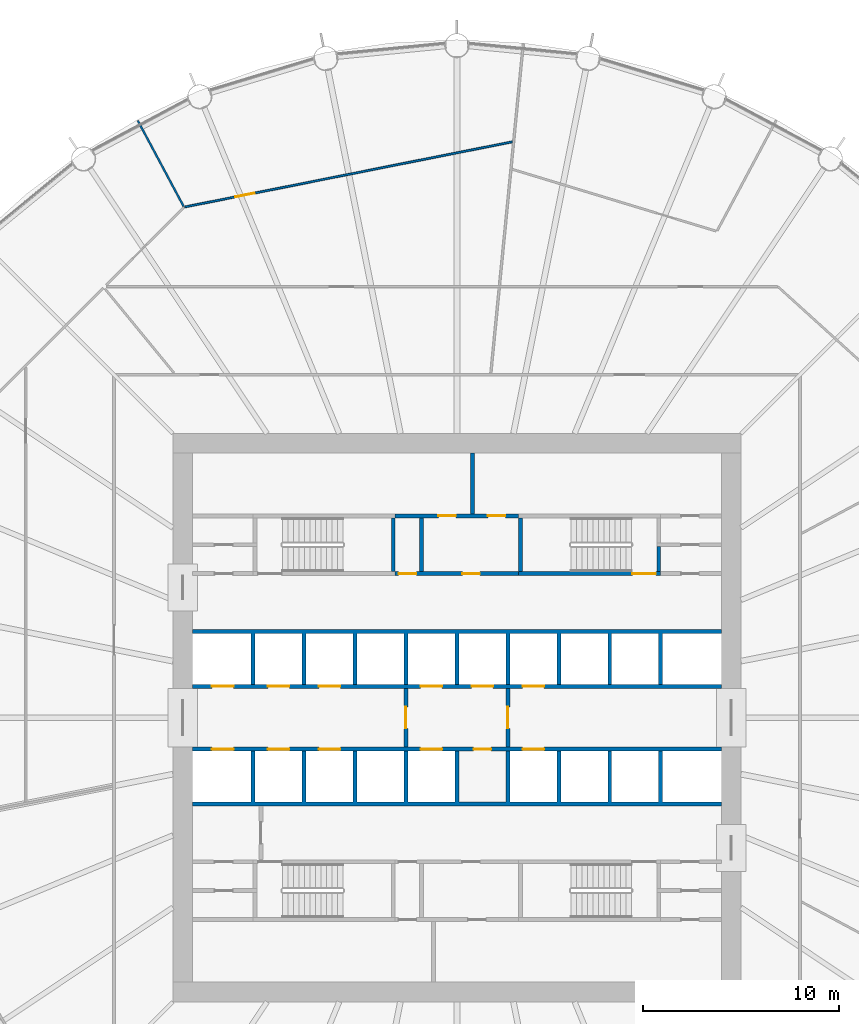
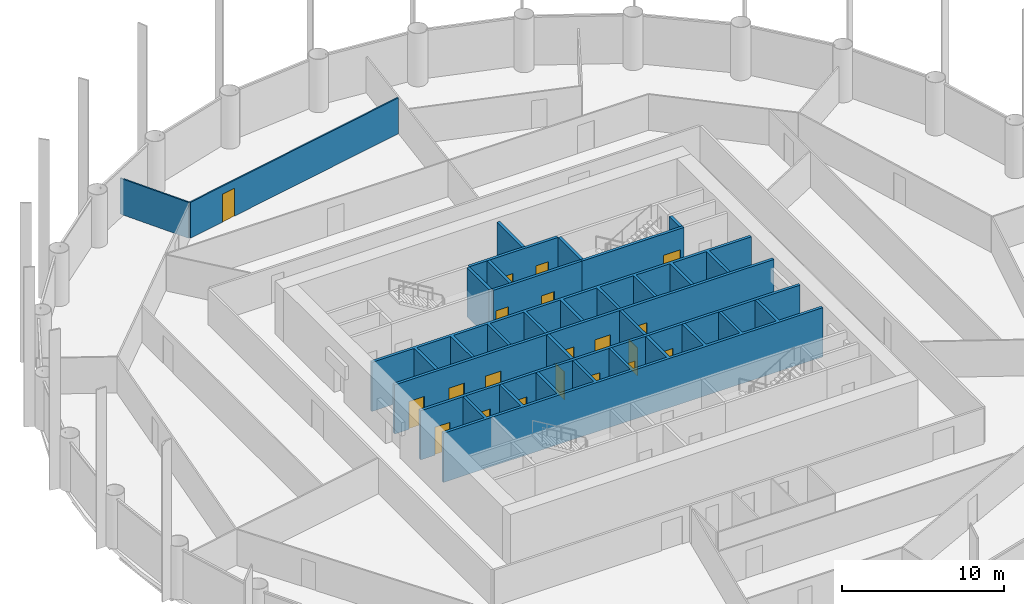
# One storey, part 6 of 10: 20 doors, 16 walls, 20 openings.
"""IFC4 building model written with IfcOpenShell, lengths in metres."""

from ifc_helpers import new_model, si_unit, direction, frame, frame_2d, origin, place, context, subcontext, project, spatial, polyline, rectangle, outline, extrude, material, layer, layer_set, type_object, element, fill, save


model = new_model("IFC4")

# Units and contexts
model_context = context("Model", 3, precision=1e-05, world=origin(), true_north=direction((0.0, 1.0)))
body_context = subcontext(model_context, "Body", "Model", "MODEL_VIEW")
ifc_project = project(units=[si_unit("LENGTHUNIT", "METRE"), si_unit("AREAUNIT", "SQUARE_METRE"), si_unit("VOLUMEUNIT", "CUBIC_METRE"), si_unit("PLANEANGLEUNIT", "RADIAN"), si_unit("MASSUNIT", "GRAM", prefix="KILO")], contexts=[model_context])

# Site, building, storey
site_placement = place(None, origin())
site = spatial("IfcSite", under=ifc_project, at=site_placement, CompositionType="ELEMENT")
building_placement = place(site_placement, origin())
building = spatial("IfcBuilding", under=site, at=building_placement, Name="Corvane Civic Tower", CompositionType="ELEMENT")
storey_placement = place(building_placement, frame((0.0, 0.0, 118.5)))
storey = spatial("IfcBuildingStorey", under=building, at=storey_placement, Name="L27", CompositionType="ELEMENT", Elevation=118.5)

# Wall, openings, doors
ifc_material_1 = material(Name="Concrete C30/37", Category="concrete")
ifc_layer_1 = layer(ifc_material_1, 0.199951171875)
ifc_layer_set_1 = layer_set([ifc_layer_1], Name="Concrete C30/37")
wall_type_1 = type_object("IfcWallType", Name="CR-WALL-200", PredefinedType="PARTITIONING", material=ifc_layer_set_1)
wall_1_placement = place(storey_placement, frame((-13.5, -1.60009765625, 0.0), z_axis=(0.0, 0.0, 1.0), x_axis=(1.0, 0.0, 0.0)))
wall_1 = element("IfcWall", 1, at=wall_1_placement, inside=storey, type_object=wall_type_1, Name="L27 lift shaft wall", PredefinedType="PARTITIONING", context=body_context, shape_type="SweptSolid", body=[
    extrude(rectangle(XDim=27.0, YDim=0.199951171875, at=frame_2d((13.5, 0.0))), origin(), (0.0, 0.0, 1.0), 3.699951171875),
])
opening_1_placement = place(wall_1_placement, frame((1.0, 0.0, 0.0)))
opening_1 = element("IfcOpeningElement", 2, at=opening_1_placement, cuts=wall_1, Name="Opening LD", PredefinedType="OPENING", context=body_context, shape_type="SweptSolid", body=[
    extrude(rectangle(XDim=1.10009765625, YDim=2.10009765625, at=frame_2d((0.550048828125, 1.050048828125))), frame((0.0, 0.10986328125, 0.0), z_axis=(0.0, -1.0, 0.0), x_axis=(1.0, 0.0, 0.0)), (0.0, 0.0, 1.0), 0.219970703125),
])
opening_2_placement = place(wall_1_placement, frame((3.85009765625, 0.0, 0.0)))
opening_2 = element("IfcOpeningElement", 3, at=opening_2_placement, cuts=wall_1, Name="Opening LD", PredefinedType="OPENING", context=body_context, shape_type="SweptSolid", body=[
    extrude(rectangle(XDim=1.10009765625, YDim=2.10009765625, at=frame_2d((0.550048828125, 1.050048828125))), frame((0.0, 0.10986328125, 0.0), z_axis=(0.0, -1.0, 0.0), x_axis=(1.0, 0.0, 0.0)), (0.0, 0.0, 1.0), 0.219970703125),
])
opening_3_placement = place(wall_1_placement, frame((6.449951171875, 0.0, 0.0)))
opening_3 = element("IfcOpeningElement", 4, at=opening_3_placement, cuts=wall_1, Name="Opening LD", PredefinedType="OPENING", context=body_context, shape_type="SweptSolid", body=[
    extrude(rectangle(XDim=1.10009765625, YDim=2.10009765625, at=frame_2d((0.550048828125, 1.050048828125))), frame((0.0, 0.10986328125, 0.0), z_axis=(0.0, -1.0, 0.0), x_axis=(1.0, 0.0, 0.0)), (0.0, 0.0, 1.0), 0.219970703125),
])
opening_4_placement = place(wall_1_placement, frame((11.64990234375, 0.0, 0.0)))
opening_4 = element("IfcOpeningElement", 5, at=opening_4_placement, cuts=wall_1, Name="Opening LD", PredefinedType="OPENING", context=body_context, shape_type="SweptSolid", body=[
    extrude(rectangle(XDim=1.10009765625, YDim=2.10009765625, at=frame_2d((0.550048828125, 1.050048828125))), frame((0.0, 0.10986328125, 0.0), z_axis=(0.0, -1.0, 0.0), x_axis=(1.0, 0.0, 0.0)), (0.0, 0.0, 1.0), 0.219970703125),
])
opening_5_placement = place(wall_1_placement, frame((14.35009765625, 0.0, 0.0)))
opening_5 = element("IfcOpeningElement", 6, at=opening_5_placement, cuts=wall_1, Name="Opening L27.C01", PredefinedType="OPENING", context=body_context, shape_type="SweptSolid", body=[
    extrude(rectangle(XDim=0.89990234375, YDim=2.10009765625, at=frame_2d((0.449951171875, 1.050048828125))), frame((0.0, 0.10986328125, 0.0), z_axis=(0.0, -1.0, 0.0), x_axis=(1.0, 0.0, 0.0)), (0.0, 0.0, 1.0), 0.219970703125),
])
opening_6_placement = place(wall_1_placement, frame((16.85009765625, 0.0, 0.0)))
opening_6 = element("IfcOpeningElement", 7, at=opening_6_placement, cuts=wall_1, Name="Opening LD", PredefinedType="OPENING", context=body_context, shape_type="SweptSolid", body=[
    extrude(rectangle(XDim=1.10009765625, YDim=2.10009765625, at=frame_2d((0.550048828125, 1.050048828125))), frame((0.0, 0.10986328125, 0.0), z_axis=(0.0, -1.0, 0.0), x_axis=(1.0, 0.0, 0.0)), (0.0, 0.0, 1.0), 0.219970703125),
])
ifc_material_2 = material(Name="Steel fire door leaf", Category="steel")
door_type_1 = type_object("IfcDoorType", Name="CR-DOOR-900", OperationType="SINGLE_SWING_LEFT", PredefinedType="DOOR", material=ifc_material_2)
door_1_placement = place(opening_5_placement, origin())
door_1 = element("IfcDoor", 8, at=door_1_placement, inside=storey, type_object=door_type_1, Name="L27 door", OperationType="SINGLE_SWING_LEFT", OverallHeight=2.10009765625, OverallWidth=0.89990234375, PredefinedType="DOOR", context=body_context, shape_type="SweptSolid", body=[
    extrude(rectangle(XDim=0.89990234375, YDim=2.10009765625, at=frame_2d((0.449951171875, 1.050048828125))), frame((0.0, 0.02490234375, 0.0), z_axis=(0.0, -1.0, 0.0), x_axis=(1.0, 0.0, 0.0)), (0.0, 0.0, 1.0), 0.050048828125),
])
fill(opening_5, door_1)
ifc_material_3 = material(Name="Stainless steel 316 door leaves", Category="steel")
door_type_2 = type_object("IfcDoorType", Name="LD", OperationType="DOUBLE_DOOR_SLIDING", PredefinedType="DOOR", material=ifc_material_3)
door_2_placement = place(opening_1_placement, origin())
door_2 = element("IfcDoor", 9, at=door_2_placement, inside=storey, type_object=door_type_2, Name="L27 landing door", OperationType="DOUBLE_DOOR_SLIDING", OverallHeight=2.10009765625, OverallWidth=1.10009765625, PredefinedType="DOOR", context=body_context, shape_type="SweptSolid", body=[
    extrude(rectangle(XDim=1.10009765625, YDim=2.10009765625, at=frame_2d((0.550048828125, 1.050048828125))), frame((0.0, 0.02490234375, 0.0), z_axis=(0.0, -1.0, 0.0), x_axis=(1.0, 0.0, 0.0)), (0.0, 0.0, 1.0), 0.050048828125),
])
fill(opening_1, door_2)
door_3_placement = place(opening_2_placement, origin())
door_3 = element("IfcDoor", 10, at=door_3_placement, inside=storey, type_object=door_type_2, Name="L27 landing door", OperationType="DOUBLE_DOOR_SLIDING", OverallHeight=2.10009765625, OverallWidth=1.10009765625, PredefinedType="DOOR", context=body_context, shape_type="SweptSolid", body=[
    extrude(rectangle(XDim=1.10009765625, YDim=2.10009765625, at=frame_2d((0.550048828125, 1.050048828125))), frame((0.0, 0.02490234375, 0.0), z_axis=(0.0, -1.0, 0.0), x_axis=(1.0, 0.0, 0.0)), (0.0, 0.0, 1.0), 0.050048828125),
])
fill(opening_2, door_3)
door_4_placement = place(opening_3_placement, origin())
door_4 = element("IfcDoor", 11, at=door_4_placement, inside=storey, type_object=door_type_2, Name="L27 landing door", OperationType="DOUBLE_DOOR_SLIDING", OverallHeight=2.10009765625, OverallWidth=1.10009765625, PredefinedType="DOOR", context=body_context, shape_type="SweptSolid", body=[
    extrude(rectangle(XDim=1.10009765625, YDim=2.10009765625, at=frame_2d((0.550048828125, 1.050048828125))), frame((0.0, 0.02490234375, 0.0), z_axis=(0.0, -1.0, 0.0), x_axis=(1.0, 0.0, 0.0)), (0.0, 0.0, 1.0), 0.050048828125),
])
fill(opening_3, door_4)
door_5_placement = place(opening_4_placement, origin())
door_5 = element("IfcDoor", 12, at=door_5_placement, inside=storey, type_object=door_type_2, Name="L27 landing door", OperationType="DOUBLE_DOOR_SLIDING", OverallHeight=2.10009765625, OverallWidth=1.10009765625, PredefinedType="DOOR", context=body_context, shape_type="SweptSolid", body=[
    extrude(rectangle(XDim=1.10009765625, YDim=2.10009765625, at=frame_2d((0.550048828125, 1.050048828125))), frame((0.0, 0.02490234375, 0.0), z_axis=(0.0, -1.0, 0.0), x_axis=(1.0, 0.0, 0.0)), (0.0, 0.0, 1.0), 0.050048828125),
])
fill(opening_4, door_5)
door_6_placement = place(opening_6_placement, origin())
door_6 = element("IfcDoor", 13, at=door_6_placement, inside=storey, type_object=door_type_2, Name="L27 landing door", OperationType="DOUBLE_DOOR_SLIDING", OverallHeight=2.10009765625, OverallWidth=1.10009765625, PredefinedType="DOOR", context=body_context, shape_type="SweptSolid", body=[
    extrude(rectangle(XDim=1.10009765625, YDim=2.10009765625, at=frame_2d((0.550048828125, 1.050048828125))), frame((0.0, 0.02490234375, 0.0), z_axis=(0.0, -1.0, 0.0), x_axis=(1.0, 0.0, 0.0)), (0.0, 0.0, 1.0), 0.050048828125),
])
fill(opening_6, door_6)

wall_2_placement = place(storey_placement, frame((-13.5, 1.60009765625, 0.0), z_axis=(0.0, 0.0, 1.0), x_axis=(1.0, 0.0, 0.0)))
wall_2 = element("IfcWall", 14, at=wall_2_placement, inside=storey, type_object=wall_type_1, Name="L27 lift shaft wall", PredefinedType="PARTITIONING", context=body_context, shape_type="SweptSolid", body=[
    extrude(rectangle(XDim=27.0, YDim=0.199951171875, at=frame_2d((13.5, 0.0))), origin(), (0.0, 0.0, 1.0), 3.699951171875),
])
opening_7_placement = place(wall_2_placement, frame((1.0, 0.0, 0.0)))
opening_7 = element("IfcOpeningElement", 15, at=opening_7_placement, cuts=wall_2, Name="Opening LD", PredefinedType="OPENING", context=body_context, shape_type="SweptSolid", body=[
    extrude(rectangle(XDim=1.10009765625, YDim=2.10009765625, at=frame_2d((0.550048828125, 1.050048828125))), frame((0.0, 0.10986328125, 0.0), z_axis=(0.0, -1.0, 0.0), x_axis=(1.0, 0.0, 0.0)), (0.0, 0.0, 1.0), 0.219970703125),
])
opening_8_placement = place(wall_2_placement, frame((3.85009765625, 0.0, 0.0)))
opening_8 = element("IfcOpeningElement", 16, at=opening_8_placement, cuts=wall_2, Name="Opening LD", PredefinedType="OPENING", context=body_context, shape_type="SweptSolid", body=[
    extrude(rectangle(XDim=1.10009765625, YDim=2.10009765625, at=frame_2d((0.550048828125, 1.050048828125))), frame((0.0, 0.10986328125, 0.0), z_axis=(0.0, -1.0, 0.0), x_axis=(1.0, 0.0, 0.0)), (0.0, 0.0, 1.0), 0.219970703125),
])
opening_9_placement = place(wall_2_placement, frame((6.449951171875, 0.0, 0.0)))
opening_9 = element("IfcOpeningElement", 17, at=opening_9_placement, cuts=wall_2, Name="Opening LD", PredefinedType="OPENING", context=body_context, shape_type="SweptSolid", body=[
    extrude(rectangle(XDim=1.10009765625, YDim=2.10009765625, at=frame_2d((0.550048828125, 1.050048828125))), frame((0.0, 0.10986328125, 0.0), z_axis=(0.0, -1.0, 0.0), x_axis=(1.0, 0.0, 0.0)), (0.0, 0.0, 1.0), 0.219970703125),
])
opening_10_placement = place(wall_2_placement, frame((11.64990234375, 0.0, 0.0)))
opening_10 = element("IfcOpeningElement", 18, at=opening_10_placement, cuts=wall_2, Name="Opening LD", PredefinedType="OPENING", context=body_context, shape_type="SweptSolid", body=[
    extrude(rectangle(XDim=1.10009765625, YDim=2.10009765625, at=frame_2d((0.550048828125, 1.050048828125))), frame((0.0, 0.10986328125, 0.0), z_axis=(0.0, -1.0, 0.0), x_axis=(1.0, 0.0, 0.0)), (0.0, 0.0, 1.0), 0.219970703125),
])
opening_11_placement = place(wall_2_placement, frame((14.25, 0.0, 0.0)))
opening_11 = element("IfcOpeningElement", 19, at=opening_11_placement, cuts=wall_2, Name="Opening LD", PredefinedType="OPENING", context=body_context, shape_type="SweptSolid", body=[
    extrude(rectangle(XDim=1.10009765625, YDim=2.10009765625, at=frame_2d((0.550048828125, 1.050048828125))), frame((0.0, 0.10986328125, 0.0), z_axis=(0.0, -1.0, 0.0), x_axis=(1.0, 0.0, 0.0)), (0.0, 0.0, 1.0), 0.219970703125),
])
opening_12_placement = place(wall_2_placement, frame((16.85009765625, 0.0, 0.0)))
opening_12 = element("IfcOpeningElement", 20, at=opening_12_placement, cuts=wall_2, Name="Opening LD", PredefinedType="OPENING", context=body_context, shape_type="SweptSolid", body=[
    extrude(rectangle(XDim=1.10009765625, YDim=2.10009765625, at=frame_2d((0.550048828125, 1.050048828125))), frame((0.0, 0.10986328125, 0.0), z_axis=(0.0, -1.0, 0.0), x_axis=(1.0, 0.0, 0.0)), (0.0, 0.0, 1.0), 0.219970703125),
])
door_7_placement = place(opening_7_placement, origin())
door_7 = element("IfcDoor", 21, at=door_7_placement, inside=storey, type_object=door_type_2, Name="L27 landing door", OperationType="DOUBLE_DOOR_SLIDING", OverallHeight=2.10009765625, OverallWidth=1.10009765625, PredefinedType="DOOR", context=body_context, shape_type="SweptSolid", body=[
    extrude(rectangle(XDim=1.10009765625, YDim=2.10009765625, at=frame_2d((0.550048828125, 1.050048828125))), frame((0.0, 0.02490234375, 0.0), z_axis=(0.0, -1.0, 0.0), x_axis=(1.0, 0.0, 0.0)), (0.0, 0.0, 1.0), 0.050048828125),
])
fill(opening_7, door_7)
door_8_placement = place(opening_8_placement, origin())
door_8 = element("IfcDoor", 22, at=door_8_placement, inside=storey, type_object=door_type_2, Name="L27 landing door", OperationType="DOUBLE_DOOR_SLIDING", OverallHeight=2.10009765625, OverallWidth=1.10009765625, PredefinedType="DOOR", context=body_context, shape_type="SweptSolid", body=[
    extrude(rectangle(XDim=1.10009765625, YDim=2.10009765625, at=frame_2d((0.550048828125, 1.050048828125))), frame((0.0, 0.02490234375, 0.0), z_axis=(0.0, -1.0, 0.0), x_axis=(1.0, 0.0, 0.0)), (0.0, 0.0, 1.0), 0.050048828125),
])
fill(opening_8, door_8)
door_9_placement = place(opening_9_placement, origin())
door_9 = element("IfcDoor", 23, at=door_9_placement, inside=storey, type_object=door_type_2, Name="L27 landing door", OperationType="DOUBLE_DOOR_SLIDING", OverallHeight=2.10009765625, OverallWidth=1.10009765625, PredefinedType="DOOR", context=body_context, shape_type="SweptSolid", body=[
    extrude(rectangle(XDim=1.10009765625, YDim=2.10009765625, at=frame_2d((0.550048828125, 1.050048828125))), frame((0.0, 0.02490234375, 0.0), z_axis=(0.0, -1.0, 0.0), x_axis=(1.0, 0.0, 0.0)), (0.0, 0.0, 1.0), 0.050048828125),
])
fill(opening_9, door_9)
door_10_placement = place(opening_10_placement, origin())
door_10 = element("IfcDoor", 24, at=door_10_placement, inside=storey, type_object=door_type_2, Name="L27 landing door", OperationType="DOUBLE_DOOR_SLIDING", OverallHeight=2.10009765625, OverallWidth=1.10009765625, PredefinedType="DOOR", context=body_context, shape_type="SweptSolid", body=[
    extrude(rectangle(XDim=1.10009765625, YDim=2.10009765625, at=frame_2d((0.550048828125, 1.050048828125))), frame((0.0, 0.02490234375, 0.0), z_axis=(0.0, -1.0, 0.0), x_axis=(1.0, 0.0, 0.0)), (0.0, 0.0, 1.0), 0.050048828125),
])
fill(opening_10, door_10)
door_11_placement = place(opening_11_placement, origin())
door_11 = element("IfcDoor", 25, at=door_11_placement, inside=storey, type_object=door_type_2, Name="L27 landing door", OperationType="DOUBLE_DOOR_SLIDING", OverallHeight=2.10009765625, OverallWidth=1.10009765625, PredefinedType="DOOR", context=body_context, shape_type="SweptSolid", body=[
    extrude(rectangle(XDim=1.10009765625, YDim=2.10009765625, at=frame_2d((0.550048828125, 1.050048828125))), frame((0.0, 0.02490234375, 0.0), z_axis=(0.0, -1.0, 0.0), x_axis=(1.0, 0.0, 0.0)), (0.0, 0.0, 1.0), 0.050048828125),
])
fill(opening_11, door_11)
door_12_placement = place(opening_12_placement, origin())
door_12 = element("IfcDoor", 26, at=door_12_placement, inside=storey, type_object=door_type_2, Name="L27 landing door", OperationType="DOUBLE_DOOR_SLIDING", OverallHeight=2.10009765625, OverallWidth=1.10009765625, PredefinedType="DOOR", context=body_context, shape_type="SweptSolid", body=[
    extrude(rectangle(XDim=1.10009765625, YDim=2.10009765625, at=frame_2d((0.550048828125, 1.050048828125))), frame((0.0, 0.02490234375, 0.0), z_axis=(0.0, -1.0, 0.0), x_axis=(1.0, 0.0, 0.0)), (0.0, 0.0, 1.0), 0.050048828125),
])
fill(opening_12, door_12)

wall_3_placement = place(storey_placement, frame((-3.14990234375, 7.35009765625, 0.0), z_axis=(0.0, 0.0, 1.0), x_axis=(1.0, 0.0, 0.0)))
wall_3 = element("IfcWall", 27, at=wall_3_placement, inside=storey, type_object=wall_type_1, Name="L27 core partition wall", PredefinedType="PARTITIONING", context=body_context, shape_type="SweptSolid", body=[
    extrude(rectangle(XDim=6.2998046875, YDim=0.199951171875, at=frame_2d((3.14990234375, 0.0))), origin(), (0.0, 0.0, 1.0), 3.699951171875),
])
opening_13_placement = place(wall_3_placement, frame((0.175048828125, 0.0, 0.0)))
opening_13 = element("IfcOpeningElement", 28, at=opening_13_placement, cuts=wall_3, Name="Opening L27.C02", PredefinedType="OPENING", context=body_context, shape_type="SweptSolid", body=[
    extrude(rectangle(XDim=0.89990234375, YDim=2.10009765625, at=frame_2d((0.449951171875, 1.050048828125))), frame((0.0, 0.10986328125, 0.0), z_axis=(0.0, -1.0, 0.0), x_axis=(1.0, 0.0, 0.0)), (0.0, 0.0, 1.0), 0.219970703125),
])
opening_14_placement = place(wall_3_placement, frame((3.425048828125, 0.0, 0.0)))
opening_14 = element("IfcOpeningElement", 29, at=opening_14_placement, cuts=wall_3, Name="Opening L27.C03", PredefinedType="OPENING", context=body_context, shape_type="SweptSolid", body=[
    extrude(rectangle(XDim=0.89990234375, YDim=2.10009765625, at=frame_2d((0.449951171875, 1.050048828125))), frame((0.0, 0.10986328125, 0.0), z_axis=(0.0, -1.0, 0.0), x_axis=(1.0, 0.0, 0.0)), (0.0, 0.0, 1.0), 0.219970703125),
])
door_13_placement = place(opening_13_placement, origin())
door_13 = element("IfcDoor", 30, at=door_13_placement, inside=storey, type_object=door_type_1, Name="L27 door", OperationType="SINGLE_SWING_LEFT", OverallHeight=2.10009765625, OverallWidth=0.89990234375, PredefinedType="DOOR", context=body_context, shape_type="SweptSolid", body=[
    extrude(rectangle(XDim=0.89990234375, YDim=2.10009765625, at=frame_2d((0.449951171875, 1.050048828125))), frame((0.0, 0.02490234375, 0.0), z_axis=(0.0, -1.0, 0.0), x_axis=(1.0, 0.0, 0.0)), (0.0, 0.0, 1.0), 0.050048828125),
])
fill(opening_13, door_13)
door_14_placement = place(opening_14_placement, origin())
door_14 = element("IfcDoor", 31, at=door_14_placement, inside=storey, type_object=door_type_1, Name="L27 door", OperationType="SINGLE_SWING_LEFT", OverallHeight=2.10009765625, OverallWidth=0.89990234375, PredefinedType="DOOR", context=body_context, shape_type="SweptSolid", body=[
    extrude(rectangle(XDim=0.89990234375, YDim=2.10009765625, at=frame_2d((0.449951171875, 1.050048828125))), frame((0.0, 0.02490234375, 0.0), z_axis=(0.0, -1.0, 0.0), x_axis=(1.0, 0.0, 0.0)), (0.0, 0.0, 1.0), 0.050048828125),
])
fill(opening_14, door_14)

wall_4_placement = place(storey_placement, frame((-3.14990234375, 10.300048828125, 0.0), z_axis=(0.0, 0.0, 1.0), x_axis=(1.0, 0.0, 0.0)))
wall_4 = element("IfcWall", 32, at=wall_4_placement, inside=storey, type_object=wall_type_1, Name="L27 partition wall", PredefinedType="PARTITIONING", context=body_context, shape_type="SweptSolid", body=[
    extrude(rectangle(XDim=6.2998046875, YDim=0.199951171875, at=frame_2d((3.14990234375, 0.0))), origin(), (0.0, 0.0, 1.0), 3.699951171875),
])
opening_15_placement = place(wall_4_placement, frame((2.199951171875, 0.0, 0.0)))
opening_15 = element("IfcOpeningElement", 33, at=opening_15_placement, cuts=wall_4, Name="Opening L27.C06", PredefinedType="OPENING", context=body_context, shape_type="SweptSolid", body=[
    extrude(rectangle(XDim=0.89990234375, YDim=2.10009765625, at=frame_2d((0.449951171875, 1.050048828125))), frame((0.0, 0.10986328125, 0.0), z_axis=(0.0, -1.0, 0.0), x_axis=(1.0, 0.0, 0.0)), (0.0, 0.0, 1.0), 0.219970703125),
])
opening_16_placement = place(wall_4_placement, frame((4.72509765625, 0.0, 0.0)))
opening_16 = element("IfcOpeningElement", 34, at=opening_16_placement, cuts=wall_4, Name="Opening L27.C07", PredefinedType="OPENING", context=body_context, shape_type="SweptSolid", body=[
    extrude(rectangle(XDim=0.89990234375, YDim=2.10009765625, at=frame_2d((0.449951171875, 1.050048828125))), frame((0.0, 0.10986328125, 0.0), z_axis=(0.0, -1.0, 0.0), x_axis=(1.0, 0.0, 0.0)), (0.0, 0.0, 1.0), 0.219970703125),
])
door_15_placement = place(opening_15_placement, origin())
door_15 = element("IfcDoor", 35, at=door_15_placement, inside=storey, type_object=door_type_1, Name="L27 door", OperationType="SINGLE_SWING_LEFT", OverallHeight=2.10009765625, OverallWidth=0.89990234375, PredefinedType="DOOR", context=body_context, shape_type="SweptSolid", body=[
    extrude(rectangle(XDim=0.89990234375, YDim=2.10009765625, at=frame_2d((0.449951171875, 1.050048828125))), frame((0.0, 0.02490234375, 0.0), z_axis=(0.0, -1.0, 0.0), x_axis=(1.0, 0.0, 0.0)), (0.0, 0.0, 1.0), 0.050048828125),
])
fill(opening_15, door_15)
door_16_placement = place(opening_16_placement, origin())
door_16 = element("IfcDoor", 36, at=door_16_placement, inside=storey, type_object=door_type_1, Name="L27 door", OperationType="SINGLE_SWING_LEFT", OverallHeight=2.10009765625, OverallWidth=0.89990234375, PredefinedType="DOOR", context=body_context, shape_type="SweptSolid", body=[
    extrude(rectangle(XDim=0.89990234375, YDim=2.10009765625, at=frame_2d((0.449951171875, 1.050048828125))), frame((0.0, 0.02490234375, 0.0), z_axis=(0.0, -1.0, 0.0), x_axis=(1.0, 0.0, 0.0)), (0.0, 0.0, 1.0), 0.050048828125),
])
fill(opening_16, door_16)

# Wall, opening, door
wall_5_placement = place(storey_placement, frame((-2.60009765625, -1.5, 0.0), z_axis=(0.0, 0.0, 1.0), x_axis=(0.0, 1.0, 0.0)))
wall_5 = element("IfcWall", 37, at=wall_5_placement, inside=storey, type_object=wall_type_1, Name="L27 firefighting lobby wall", PredefinedType="PARTITIONING", context=body_context, shape_type="SweptSolid", body=[
    extrude(rectangle(XDim=3.0, YDim=0.199951171875, at=frame_2d((1.5, 0.0))), origin(), (0.0, 0.0, 1.0), 3.699951171875),
])
opening_17_placement = place(wall_5_placement, frame((0.949951171875, 0.0, 0.0)))
opening_17 = element("IfcOpeningElement", 38, at=opening_17_placement, cuts=wall_5, Name="Opening L27.C24", PredefinedType="OPENING", context=body_context, shape_type="SweptSolid", body=[
    extrude(rectangle(XDim=1.10009765625, YDim=2.10009765625, at=frame_2d((0.550048828125, 1.050048828125))), frame((0.0, 0.10986328125, 0.0), z_axis=(0.0, -1.0, 0.0), x_axis=(1.0, 0.0, 0.0)), (0.0, 0.0, 1.0), 0.219970703125),
])
ifc_material_4 = material(Name="Steel fire door leaf", Category="steel")
door_type_3 = type_object("IfcDoorType", Name="CR-DOOR-FFL-1100", OperationType="SINGLE_SWING_LEFT", PredefinedType="DOOR", material=ifc_material_4)
door_17_placement = place(opening_17_placement, origin())
door_17 = element("IfcDoor", 39, at=door_17_placement, inside=storey, type_object=door_type_3, Name="L27 lobby door", OperationType="SINGLE_SWING_LEFT", OverallHeight=2.10009765625, OverallWidth=1.10009765625, PredefinedType="DOOR", context=body_context, shape_type="SweptSolid", body=[
    extrude(rectangle(XDim=1.10009765625, YDim=2.10009765625, at=frame_2d((0.550048828125, 1.050048828125))), frame((0.0, 0.02490234375, 0.0), z_axis=(0.0, -1.0, 0.0), x_axis=(1.0, 0.0, 0.0)), (0.0, 0.0, 1.0), 0.050048828125),
])
fill(opening_17, door_17)

wall_6_placement = place(storey_placement, frame((2.60009765625, -1.5, 0.0), z_axis=(0.0, 0.0, 1.0), x_axis=(0.0, 1.0, 0.0)))
wall_6 = element("IfcWall", 40, at=wall_6_placement, inside=storey, type_object=wall_type_1, Name="L27 firefighting lobby wall", PredefinedType="PARTITIONING", context=body_context, shape_type="SweptSolid", body=[
    extrude(rectangle(XDim=3.0, YDim=0.199951171875, at=frame_2d((1.5, 0.0))), origin(), (0.0, 0.0, 1.0), 3.699951171875),
])
opening_18_placement = place(wall_6_placement, frame((0.949951171875, 0.0, 0.0)))
opening_18 = element("IfcOpeningElement", 41, at=opening_18_placement, cuts=wall_6, Name="Opening L27.C25", PredefinedType="OPENING", context=body_context, shape_type="SweptSolid", body=[
    extrude(rectangle(XDim=1.10009765625, YDim=2.10009765625, at=frame_2d((0.550048828125, 1.050048828125))), frame((0.0, 0.10986328125, 0.0), z_axis=(0.0, -1.0, 0.0), x_axis=(1.0, 0.0, 0.0)), (0.0, 0.0, 1.0), 0.219970703125),
])
door_18_placement = place(opening_18_placement, origin())
door_18 = element("IfcDoor", 42, at=door_18_placement, inside=storey, type_object=door_type_3, Name="L27 lobby door", OperationType="SINGLE_SWING_LEFT", OverallHeight=2.10009765625, OverallWidth=1.10009765625, PredefinedType="DOOR", context=body_context, shape_type="SweptSolid", body=[
    extrude(rectangle(XDim=1.10009765625, YDim=2.10009765625, at=frame_2d((0.550048828125, 1.050048828125))), frame((0.0, 0.02490234375, 0.0), z_axis=(0.0, -1.0, 0.0), x_axis=(1.0, 0.0, 0.0)), (0.0, 0.0, 1.0), 0.050048828125),
])
fill(opening_18, door_18)

# Walls
wall_7_placement = place(storey_placement, origin())
element("IfcWall", 43, at=wall_7_placement, inside=storey, type_object=wall_type_1, Name="L27 core partition wall", PredefinedType="PARTITIONING", context=body_context, shape_type="SweptSolid", body=[
    extrude(outline(polyline([(-1.699951171875, 7.449951171875), (-1.89990234375, 7.449951171875), (-1.89990234375, 10.199951171875), (-1.699951171875, 10.199951171875), (-1.699951171875, 7.449951171875)])), origin(), (0.0, 0.0, 1.0), 3.699951171875),
])
wall_8_placement = place(storey_placement, origin())
element("IfcWall", 44, at=wall_8_placement, inside=storey, type_object=wall_type_1, Name="L27 core partition wall", PredefinedType="PARTITIONING", context=body_context, shape_type="SweptSolid", body=[
    extrude(outline(polyline([(-10.300048828125, -1.699951171875), (-10.300048828125, -4.300048828125), (-7.89990234375, -4.300048828125), (-7.89990234375, -1.699951171875), (-7.699951171875, -1.699951171875), (-7.699951171875, -4.300048828125), (-5.300048828125, -4.300048828125), (-5.300048828125, -1.699951171875), (-5.10009765625, -1.699951171875), (-5.10009765625, -4.300048828125), (-2.699951171875, -4.300048828125), (-2.699951171875, -1.699951171875), (-2.5, -1.699951171875), (-2.5, -4.300048828125), (-0.10009765625, -4.300048828125), (-0.10009765625, -1.699951171875), (0.10009765625, -1.699951171875), (0.10009765625, -4.300048828125), (2.5, -4.300048828125), (2.5, -1.699951171875), (2.699951171875, -1.699951171875), (2.699951171875, -4.300048828125), (5.10009765625, -4.300048828125), (5.10009765625, -1.699951171875), (5.300048828125, -1.699951171875), (5.300048828125, -4.300048828125), (7.699951171875, -4.300048828125), (7.699951171875, -1.699951171875), (7.89990234375, -1.699951171875), (7.89990234375, -4.300048828125), (10.300048828125, -4.300048828125), (10.300048828125, -1.699951171875), (10.5, -1.699951171875), (10.5, -4.300048828125), (13.5, -4.300048828125), (13.5, -4.5), (-13.5, -4.5), (-13.5, -4.300048828125), (-10.5, -4.300048828125), (-10.5, -1.699951171875), (-10.300048828125, -1.699951171875)])), origin(), (0.0, 0.0, 1.0), 3.699951171875),
])
wall_9_placement = place(storey_placement, origin())
element("IfcWall", 45, at=wall_9_placement, inside=storey, type_object=wall_type_1, Name="L27 core partition wall", PredefinedType="PARTITIONING", context=body_context, shape_type="SweptSolid", body=[
    extrude(outline(polyline([(0.10009765625, 1.699951171875), (-0.10009765625, 1.699951171875), (-0.10009765625, 4.300048828125), (-2.5, 4.300048828125), (-2.5, 1.699951171875), (-2.699951171875, 1.699951171875), (-2.699951171875, 4.300048828125), (-5.10009765625, 4.300048828125), (-5.10009765625, 1.699951171875), (-5.300048828125, 1.699951171875), (-5.300048828125, 4.300048828125), (-7.699951171875, 4.300048828125), (-7.699951171875, 1.699951171875), (-7.89990234375, 1.699951171875), (-7.89990234375, 4.300048828125), (-10.300048828125, 4.300048828125), (-10.300048828125, 1.699951171875), (-10.5, 1.699951171875), (-10.5, 4.300048828125), (-13.5, 4.300048828125), (-13.5, 4.5), (13.5, 4.5), (13.5, 4.300048828125), (10.5, 4.300048828125), (10.5, 1.699951171875), (10.300048828125, 1.699951171875), (10.300048828125, 4.300048828125), (7.89990234375, 4.300048828125), (7.89990234375, 1.699951171875), (7.699951171875, 1.699951171875), (7.699951171875, 4.300048828125), (5.300048828125, 4.300048828125), (5.300048828125, 1.699951171875), (5.10009765625, 1.699951171875), (5.10009765625, 4.300048828125), (2.699951171875, 4.300048828125), (2.699951171875, 1.699951171875), (2.5, 1.699951171875), (2.5, 4.300048828125), (0.10009765625, 4.300048828125), (0.10009765625, 1.699951171875)])), origin(), (0.0, 0.0, 1.0), 3.699951171875),
])
wall_10_placement = place(storey_placement, origin())
element("IfcWall", 46, at=wall_10_placement, inside=storey, type_object=wall_type_1, Name="L27 core partition wall", PredefinedType="PARTITIONING", context=body_context, shape_type="SweptSolid", body=[
    extrude(outline(polyline([(0.89990234375, 10.39990234375), (0.699951171875, 10.39990234375), (0.699951171875, 13.5), (0.89990234375, 13.5), (0.89990234375, 10.39990234375)])), origin(), (0.0, 0.0, 1.0), 3.699951171875),
])

# Wall, opening, door
ifc_material_5 = material(Name="Plasterboard")
ifc_layer_2 = layer(ifc_material_5, 0.10009765625)
ifc_layer_set_2 = layer_set([ifc_layer_2], Name="Plasterboard")
wall_type_2 = type_object("IfcWallType", Name="Partition 100 plasterboard on studs", PredefinedType="PARTITIONING", material=ifc_layer_set_2)
wall_11_placement = place(storey_placement, frame((-13.890625, 26.062744140625, 0.0), z_axis=(0.0, 0.0, 1.0), x_axis=(0.980781751957, 0.195108059876, 0.0)))
wall_11 = element("IfcWall", 47, at=wall_11_placement, inside=storey, type_object=wall_type_2, Name="Partition L27.040", PredefinedType="PARTITIONING", context=body_context, shape_type="SweptSolid", body=[
    extrude(rectangle(XDim=17.0478515625, YDim=0.10009765625, at=frame_2d((8.52392578125, 0.0))), origin(), (0.0, 0.0, 1.0), 2.699951171875),
])
opening_19_placement = place(wall_11_placement, frame((2.626953125, 0.0, 0.0)))
opening_19 = element("IfcOpeningElement", 48, at=opening_19_placement, cuts=wall_11, Name="Opening L27.006", PredefinedType="OPENING", context=body_context, shape_type="SweptSolid", body=[
    extrude(rectangle(XDim=1.0, YDim=2.10009765625, at=frame_2d((0.5, 1.050048828125))), frame((0.0, 0.06005859375, 0.0), z_axis=(0.0, -1.0, 0.0), x_axis=(1.0, 0.0, 0.0)), (0.0, 0.0, 1.0), 0.1201171875),
])
ifc_material_6 = material(Name="Timber", Category="wood")
door_type_4 = type_object("IfcDoorType", Name="Single door 1000", OperationType="NOTDEFINED", PredefinedType="DOOR", material=ifc_material_6)
door_19_placement = place(opening_19_placement, origin())
door_19 = element("IfcDoor", 49, at=door_19_placement, inside=storey, type_object=door_type_4, Name="Door L27.006", OperationType="SINGLE_SWING_RIGHT", OverallHeight=2.10009765625, OverallWidth=1.0, PredefinedType="DOOR", context=body_context, shape_type="SweptSolid", body=[
    extrude(rectangle(XDim=1.0, YDim=2.10009765625, at=frame_2d((0.5, 1.050048828125))), frame((0.0, 0.02490234375, 0.0), z_axis=(0.0, -1.0, 0.0), x_axis=(1.0, 0.0, 0.0)), (0.0, 0.0, 1.0), 0.050048828125),
])
fill(opening_19, door_19)

# Wall
wall_12_placement = place(storey_placement, frame((-16.286865234375, 30.470458984375, 0.0), z_axis=(0.0, 0.0, 1.0), x_axis=(0.471399015311, -0.881920046469, 0.0)))
element("IfcWall", 50, at=wall_12_placement, inside=storey, type_object=wall_type_2, Name="Partition L27.041", PredefinedType="PARTITIONING", context=body_context, shape_type="SweptSolid", body=[
    extrude(rectangle(XDim=4.96875, YDim=0.10009765625, at=frame_2d((2.484375, 0.0))), origin(), (0.0, 0.0, 1.0), 2.699951171875),
])

# Wall, opening, door
ifc_material_7 = material(Name="Concrete C50/60", Category="concrete")
ifc_layer_3 = layer(ifc_material_7, 0.199951171875)
ifc_layer_set_3 = layer_set([ifc_layer_3], Name="Concrete C50/60")
wall_type_3 = type_object("IfcWallType", Name="ST-WALL-200", PredefinedType="SHEAR", material=ifc_layer_set_3)
wall_13_placement = place(storey_placement, frame((3.14990234375, 7.35009765625, 0.0), z_axis=(0.0, 0.0, 1.0), x_axis=(1.0, 0.0, 0.0)))
wall_13 = element("IfcWall", 51, at=wall_13_placement, inside=storey, type_object=wall_type_3, Name="L27 stair enclosure wall", PredefinedType="SHEAR", context=body_context, shape_type="SweptSolid", body=[
    extrude(rectangle(XDim=7.25, YDim=0.199951171875, at=frame_2d((3.625, 0.0))), origin(), (0.0, 0.0, 1.0), 3.699951171875),
])
opening_20_placement = place(wall_13_placement, frame((5.800048828125, 0.0, 0.0)))
opening_20 = element("IfcOpeningElement", 52, at=opening_20_placement, cuts=wall_13, Name="Opening L27.C20", PredefinedType="OPENING", context=body_context, shape_type="SweptSolid", body=[
    extrude(rectangle(XDim=1.199951171875, YDim=2.10009765625, at=frame_2d((0.60009765625, 1.050048828125))), frame((0.0, 0.10986328125, 0.0), z_axis=(0.0, -1.0, 0.0), x_axis=(1.0, 0.0, 0.0)), (0.0, 0.0, 1.0), 0.219970703125),
])
ifc_material_8 = material(Name="Steel fire door leaf", Category="steel")
door_type_5 = type_object("IfcDoorType", Name="ST-DOOR-1200", OperationType="SINGLE_SWING_RIGHT", PredefinedType="DOOR", material=ifc_material_8)
door_20_placement = place(opening_20_placement, origin())
door_20 = element("IfcDoor", 53, at=door_20_placement, inside=storey, type_object=door_type_5, Name="L27 stair door", OperationType="SINGLE_SWING_RIGHT", OverallHeight=2.10009765625, OverallWidth=1.199951171875, PredefinedType="DOOR", context=body_context, shape_type="SweptSolid", body=[
    extrude(rectangle(XDim=1.199951171875, YDim=2.10009765625, at=frame_2d((0.60009765625, 1.050048828125))), frame((0.0, 0.02490234375, 0.0), z_axis=(0.0, -1.0, 0.0), x_axis=(1.0, 0.0, 0.0)), (0.0, 0.0, 1.0), 0.050048828125),
])
fill(opening_20, door_20)

# Walls
wall_14_placement = place(storey_placement, origin())
element("IfcWall", 54, at=wall_14_placement, inside=storey, type_object=wall_type_3, Name="L27 stair enclosure wall", PredefinedType="SHEAR", context=body_context, shape_type="SweptSolid", body=[
    extrude(outline(polyline([(-3.14990234375, 7.449951171875), (-3.35009765625, 7.449951171875), (-3.35009765625, 10.199951171875), (-3.14990234375, 10.199951171875), (-3.14990234375, 7.449951171875)])), origin(), (0.0, 0.0, 1.0), 3.699951171875),
])
wall_15_placement = place(storey_placement, origin())
element("IfcWall", 55, at=wall_15_placement, inside=storey, type_object=wall_type_3, Name="L27 stair enclosure wall", PredefinedType="SHEAR", context=body_context, shape_type="SweptSolid", body=[
    extrude(outline(polyline([(3.35009765625, 7.449951171875), (3.14990234375, 7.449951171875), (3.14990234375, 10.199951171875), (3.35009765625, 10.199951171875), (3.35009765625, 7.449951171875)])), origin(), (0.0, 0.0, 1.0), 3.699951171875),
])
wall_16_placement = place(storey_placement, origin())
element("IfcWall", 56, at=wall_16_placement, inside=storey, type_object=wall_type_3, Name="L27 stair enclosure wall", PredefinedType="SHEAR", context=body_context, shape_type="SweptSolid", body=[
    extrude(outline(polyline([(10.39990234375, 8.72509765625), (10.39990234375, 7.449951171875), (10.199951171875, 7.449951171875), (10.199951171875, 8.72509765625), (10.39990234375, 8.72509765625)])), origin(), (0.0, 0.0, 1.0), 3.699951171875),
])

save(model, "model.ifc")
